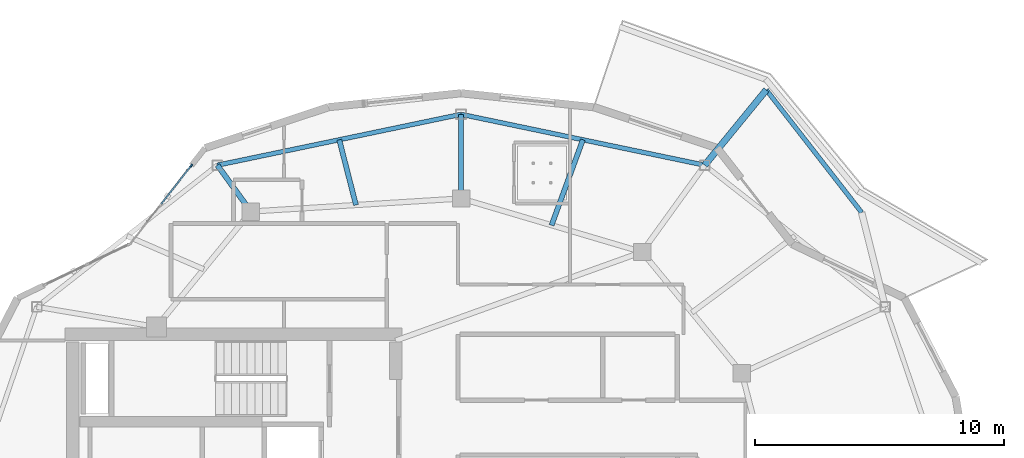
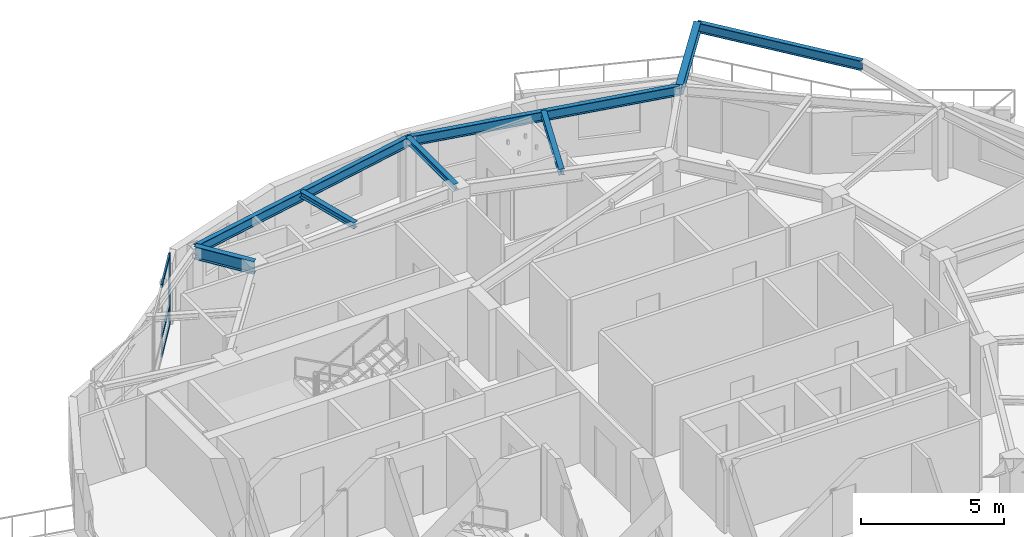
# One storey, part 6 of 15: 8 beams, 4 members, 1 element without a shape of its own.
"""IFC4 building model written with IfcOpenShell, lengths in metres."""

from ifc_helpers import new_model, si_unit, direction, frame, origin, origin_2d, place, context, subcontext, project, spatial, rectangle, i_section, extrude, material, layer, layer_set, material_profile, profile_set, type_object, element, aggregate, save


model = new_model("IFC4")

# Units and contexts
model_context = context("Model", 3, precision=1e-05, world=origin(), true_north=direction((0.0, 1.0)))
body_context = subcontext(model_context, "Body", "Model", "MODEL_VIEW")
ifc_project = project(units=[si_unit("LENGTHUNIT", "METRE"), si_unit("AREAUNIT", "SQUARE_METRE"), si_unit("VOLUMEUNIT", "CUBIC_METRE"), si_unit("PLANEANGLEUNIT", "RADIAN"), si_unit("MASSUNIT", "GRAM", prefix="KILO")], contexts=[model_context])

# Site, building, storey
site_placement = place(None, origin())
site = spatial("IfcSite", under=ifc_project, at=site_placement, CompositionType="ELEMENT")
building_placement = place(site_placement, origin())
building = spatial("IfcBuilding", under=site, at=building_placement, Name="Kolvaren Gate Tower and Convention Centre", CompositionType="ELEMENT")
storey_placement = place(building_placement, frame((0.0, 0.0, 265.699951171875)))
storey = spatial("IfcBuildingStorey", under=building, at=storey_placement, Name="L72", CompositionType="ELEMENT", Elevation=265.699951171875)

# Curtain wall, members
ifc_material_1 = material(Name="Anodized Architectural Aluminium Alloy 6063-T6", Category="aluminium")
ifc_layer = layer(ifc_material_1, 0.159912109375)
ifc_layer_set = layer_set([ifc_layer], Name="Anodized Architectural Aluminium Alloy 6063-T6")
curtain_wall_type = type_object("IfcCurtainWallType", Name="CW-RES-UNIT", PredefinedType="NOTDEFINED", material=ifc_layer_set)
curtain_wall_placement = place(storey_placement, origin())
curtain_wall = element("IfcCurtainWall", 1, at=curtain_wall_placement, inside=storey, type_object=curtain_wall_type, Name="Tower L72 Unitised Curtain Wall CW-RES-UNIT Bay 08", PredefinedType="NOTDEFINED")
ifc_material_profile_1 = material_profile(ifc_material_1, rectangle(XDim=0.06494140625, YDim=0.159912109375, at=origin_2d()), Name="CW-MEM-MUL-160")
ifc_profile_set_1 = profile_set([ifc_material_profile_1], Name="Anodized Architectural Aluminium Alloy 6063-T6")
member_type_1 = type_object("IfcMemberType", Name="CW-MEM-MUL-160", PredefinedType="MULLION", material=ifc_profile_set_1)
member_1_placement = place(storey_placement, frame((19.299072265625, 40.5087890625, 0.0), z_axis=(0.0, 0.0, 1.0), x_axis=(-0.787412947119, 0.616425867976, 0.0)))
member_1 = element("IfcMember", 2, at=member_1_placement, type_object=member_type_1, Name="CW-04 mullion 3", PredefinedType="MULLION", context=body_context, shape_type="SweptSolid", body=[
    extrude(rectangle(XDim=0.06494140625, YDim=0.159912109375, at=origin_2d()), origin(), (0.0, 0.0, 1.0), 3.030029296875),
])
ifc_material_profile_2 = material_profile(ifc_material_1, rectangle(XDim=0.06494140625, YDim=0.159912109375, at=origin_2d()), Name="CW-MEM-TRN-160")
ifc_profile_set_2 = profile_set([ifc_material_profile_2], Name="Anodized Architectural Aluminium Alloy 6063-T6")
member_type_2 = type_object("IfcMemberType", Name="CW-MEM-TRN-160", PredefinedType="USERDEFINED", material=ifc_profile_set_2)
member_2_placement = place(storey_placement, frame((18.102783203125, 38.98046875, 0.032470703125), z_axis=(0.616328956941, 0.787488804261, 0.0), x_axis=(-0.787488804261, 0.616328956941, 0.0)))
member_2 = element("IfcMember", 3, at=member_2_placement, type_object=member_type_2, Name="CW-04 transom 2.1", ObjectType="TRANSOM", PredefinedType="USERDEFINED", context=body_context, shape_type="SweptSolid", body=[
    extrude(rectangle(XDim=0.06494140625, YDim=0.159912109375, at=origin_2d()), origin(), (0.0, 0.0, 1.0), 1.908447265625),
])
member_3_placement = place(storey_placement, frame((18.102783203125, 38.98046875, 0.85009765625), z_axis=(0.616328956941, 0.787488804261, 0.0), x_axis=(-0.787488804261, 0.616328956941, 0.0)))
member_3 = element("IfcMember", 4, at=member_3_placement, type_object=member_type_2, Name="CW-04 transom 2.2", ObjectType="TRANSOM", PredefinedType="USERDEFINED", context=body_context, shape_type="SweptSolid", body=[
    extrude(rectangle(XDim=0.06494140625, YDim=0.159912109375, at=origin_2d()), origin(), (0.0, 0.0, 1.0), 1.908447265625),
])
member_4_placement = place(storey_placement, frame((18.102783203125, 38.98046875, 2.99755859375), z_axis=(0.616328956941, 0.787488804261, 0.0), x_axis=(-0.787488804261, 0.616328956941, 0.0)))
member_4 = element("IfcMember", 5, at=member_4_placement, type_object=member_type_2, Name="CW-04 transom 2.3", ObjectType="TRANSOM", PredefinedType="USERDEFINED", context=body_context, shape_type="SweptSolid", body=[
    extrude(rectangle(XDim=0.06494140625, YDim=0.159912109375, at=origin_2d()), origin(), (0.0, 0.0, 1.0), 1.908447265625),
])
aggregate(curtain_wall, [member_1, member_2, member_3, member_4])

# Beams
ifc_material_2 = material(Name="Structural steel ASTM A992 Grade 345 MPa", Category="steel")
ifc_material_profile_3 = material_profile(ifc_material_2, i_section(OverallWidth=0.260009765625, OverallDepth=0.419921875, WebThickness=0.013427734375, FlangeThickness=0.0224609375, at=origin_2d()), Name="W410X132")
ifc_profile_set_3 = profile_set([ifc_material_profile_3], Name="Structural steel ASTM A992 Grade 345 MPa")
beam_type_1 = type_object("IfcBeamType", Name="STR-BM-W410X132", PredefinedType="BEAM", material=ifc_profile_set_3)
beam_1_placement = place(storey_placement, frame((39.893310546875, 40.53515625, 2.820556640625), z_axis=(0.633305964055, 0.773901515629, 0.0), x_axis=(-0.773901515629, 0.633305964055, 0.0)))
element("IfcBeam", 6, at=beam_1_placement, inside=storey, type_object=beam_type_1, Name="Tower L73 Planted Balcony Outrigger Cantilever BC-1B", PredefinedType="BEAM", context=body_context, shape_type="SweptSolid", body=[
    extrude(i_section(OverallWidth=0.260009765625, OverallDepth=0.419921875, WebThickness=0.013427734375, FlangeThickness=0.0224609375, at=origin_2d()), origin(), (0.0, 0.0, 1.0), 3.900146484375),
])
ifc_material_profile_4 = material_profile(ifc_material_2, i_section(OverallWidth=0.2119140625, OverallDepth=0.5439453125, WebThickness=0.01318359375, FlangeThickness=0.021240234375, at=origin_2d()), Name="W530X123")
ifc_profile_set_4 = profile_set([ifc_material_profile_4], Name="Structural steel ASTM A992 Grade 345 MPa")
beam_type_2 = type_object("IfcBeamType", Name="STR-BM-W530X123", PredefinedType="BEAM", material=ifc_profile_set_4)
beam_2_placement = place(storey_placement, frame((21.697998046875, 38.6767578125, 2.758056640625), z_axis=(-0.585241610653, 0.810858962558, 0.0), x_axis=(-0.810858962558, -0.585241610653, 0.0)))
element("IfcBeam", 7, at=beam_2_placement, inside=storey, type_object=beam_type_2, Name="Tower L72 Radial Floor Girder RB-05", PredefinedType="BEAM", context=body_context, shape_type="SweptSolid", body=[
    extrude(i_section(OverallWidth=0.2119140625, OverallDepth=0.5439453125, WebThickness=0.01318359375, FlangeThickness=0.021240234375, at=origin_2d()), origin(), (0.0, 0.0, 1.0), 2.2919921875),
])
ifc_material_profile_5 = material_profile(ifc_material_2, i_section(OverallWidth=0.202880859375, OverallDepth=0.251953125, WebThickness=0.008056640625, FlangeThickness=0.013427734375, at=origin_2d()), Name="W250X58")
ifc_profile_set_5 = profile_set([ifc_material_profile_5], Name="Structural steel ASTM A992 Grade 345 MPa")
beam_type_3 = type_object("IfcBeamType", Name="STR-JS-W250X58", PredefinedType="JOIST", material=ifc_profile_set_5)
beam_3_placement = place(storey_placement, frame((30.125, 39.199951171875, 2.904052734375), z_axis=(0.0, 1.0, 0.0), x_axis=(-1.0, 0.0, 0.0)))
element("IfcBeam", 8, at=beam_3_placement, inside=storey, type_object=beam_type_3, Name="Tower L72 Radial Floor Girder RB-04", PredefinedType="JOIST", context=body_context, shape_type="SweptSolid", body=[
    extrude(i_section(OverallWidth=0.202880859375, OverallDepth=0.251953125, WebThickness=0.008056640625, FlangeThickness=0.013427734375, at=origin_2d()), origin(), (0.0, 0.0, 1.0), 3.375),
])
beam_4_placement = place(storey_placement, frame((33.75341796875, 38.12744140625, 2.904052734375), z_axis=(0.343959865764, 0.938984350638, 0.0), x_axis=(-0.938984350638, 0.343959865764, 0.0)))
element("IfcBeam", 9, at=beam_4_placement, inside=storey, type_object=beam_type_3, Name="Tower L72 Secondary Composite Floor Joist J-03.1", PredefinedType="JOIST", context=body_context, shape_type="SweptSolid", body=[
    extrude(i_section(OverallWidth=0.202880859375, OverallDepth=0.251953125, WebThickness=0.008056640625, FlangeThickness=0.013427734375, at=origin_2d()), origin(), (0.0, 0.0, 1.0), 3.650390625),
])
beam_5_placement = place(storey_placement, frame((25.91162109375, 38.938232421875, 2.904052734375), z_axis=(-0.248251414505, 0.968695635995, 0.0), x_axis=(-0.968695635995, -0.248251414505, 0.0)))
element("IfcBeam", 10, at=beam_5_placement, inside=storey, type_object=beam_type_3, Name="Tower L72 Secondary Composite Floor Joist J-04.1", PredefinedType="JOIST", context=body_context, shape_type="SweptSolid", body=[
    extrude(i_section(OverallWidth=0.202880859375, OverallDepth=0.251953125, WebThickness=0.008056640625, FlangeThickness=0.013427734375, at=origin_2d()), origin(), (0.0, 0.0, 1.0), 2.701416015625),
])
ifc_material_profile_6 = material_profile(ifc_material_2, i_section(OverallWidth=0.180908203125, OverallDepth=0.4169921875, WebThickness=0.010986328125, FlangeThickness=0.018310546875, at=origin_2d()), Name="W410X85")
ifc_profile_set_6 = profile_set([ifc_material_profile_6], Name="Structural steel ASTM A992 Grade 345 MPa")
beam_type_4 = type_object("IfcBeamType", Name="STR-SP-W410X85", PredefinedType="SPANDREL", material=ifc_profile_set_6)
for number, where, z_axis, x_axis, name in (
    (11, (39.893310546875, 40.53515625, 2.821533203125), (-0.978885668593, 0.204408531681, 0.0), (-0.204408531681, -0.978885668593, 0.0), "Tower L72 Perimeter Spandrel Beam SP-03"),
    (12, (30.125, 42.574951171875, 2.821533203125), (-0.978885668593, -0.204408531681, 0.0), (0.204408531681, -0.978885668593, 0.0), "Tower L72 Perimeter Spandrel Beam SP-04"),
):
    element("IfcBeam", number, at=place(storey_placement, frame(where, z_axis=z_axis, x_axis=x_axis)), inside=storey, type_object=beam_type_4, Name=name, PredefinedType="SPANDREL", context=body_context, shape_type="SweptSolid", body=[
        extrude(i_section(OverallWidth=0.180908203125, OverallDepth=0.4169921875, WebThickness=0.010986328125, FlangeThickness=0.018310546875, at=origin_2d()), origin(), (0.0, 0.0, 1.0), 9.97900390625),
    ])
beam_6_placement = place(storey_placement, frame((46.18603515625, 38.63916015625, 2.822021484375), z_axis=(-0.613992191964, 0.7893120981, 0.0), x_axis=(-0.7893120981, -0.613992191964, 0.0)))
element("IfcBeam", 13, at=beam_6_placement, inside=storey, type_object=beam_type_4, Name="Tower L73 Planted Balcony Header Tie Beam BT-1", PredefinedType="SPANDREL", context=body_context, shape_type="SweptSolid", body=[
    extrude(i_section(OverallWidth=0.180908203125, OverallDepth=0.4169921875, WebThickness=0.010986328125, FlangeThickness=0.018310546875, at=origin_2d()), origin(), (0.0, 0.0, 1.0), 6.22607421875),
])

save(model, "model.ifc")
